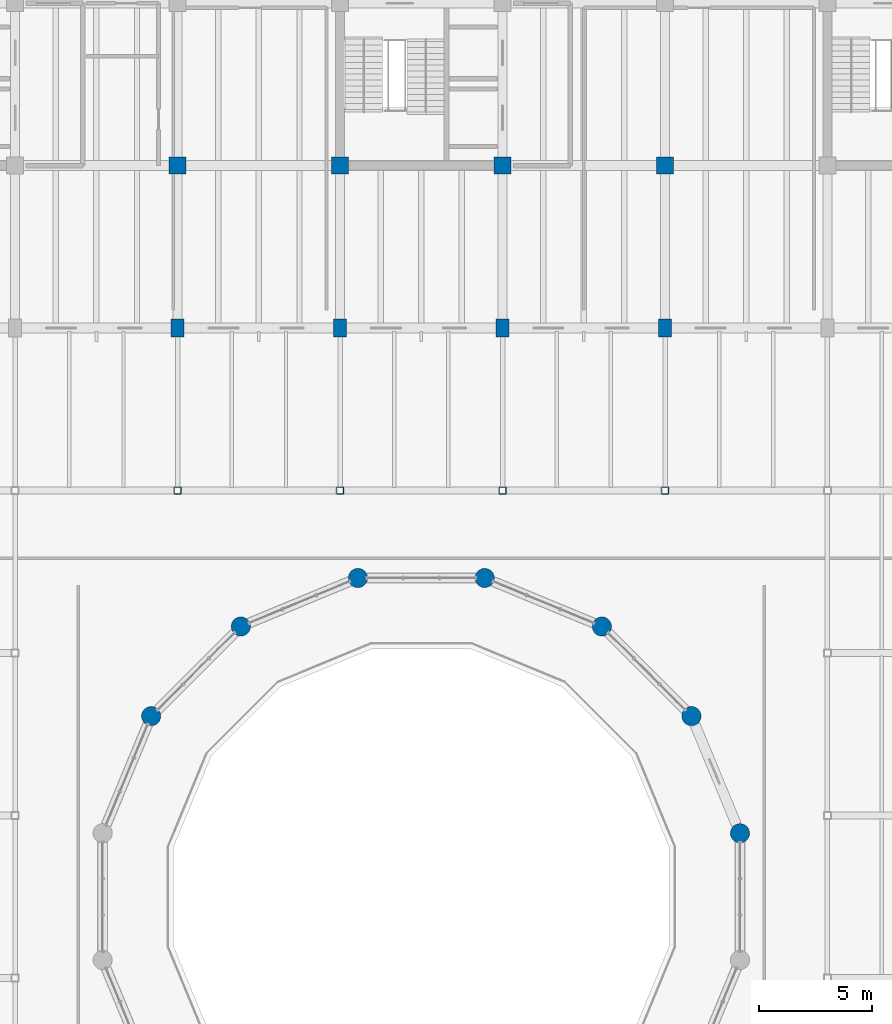
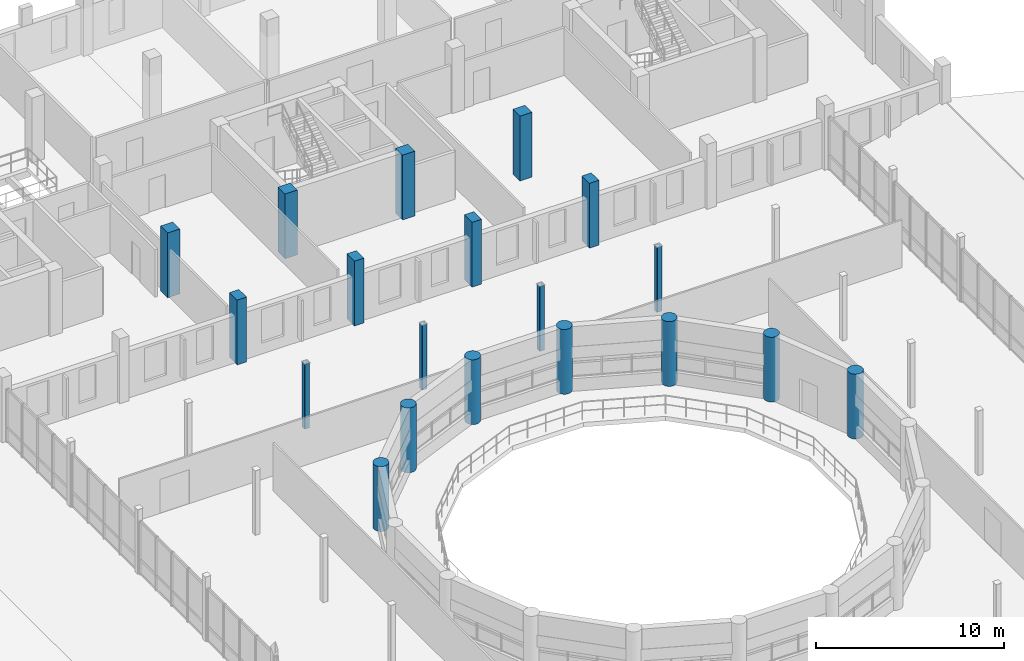
# One storey, part 8 of 63: 19 columns.
"""IFC4 building model written with IfcOpenShell, lengths in metres."""

from ifc_helpers import new_model, si_unit, direction, frame, origin, origin_2d, place, context, subcontext, project, spatial, rectangle, hollow_rectangle, circle, extrude, material, material_profile, profile_set, type_object, element, save


model = new_model("IFC4")

# Units and contexts
model_context = context("Model", 3, precision=1e-05, world=origin(), true_north=direction((0.0, 1.0)))
body_context = subcontext(model_context, "Body", "Model", "MODEL_VIEW")
ifc_project = project(units=[si_unit("LENGTHUNIT", "METRE"), si_unit("AREAUNIT", "SQUARE_METRE"), si_unit("VOLUMEUNIT", "CUBIC_METRE"), si_unit("PLANEANGLEUNIT", "RADIAN"), si_unit("MASSUNIT", "GRAM", prefix="KILO")], contexts=[model_context])

# Site, building, storey
site_placement = place(None, origin())
site = spatial("IfcSite", under=ifc_project, at=site_placement, CompositionType="ELEMENT")
building_placement = place(site_placement, origin())
building = spatial("IfcBuilding", under=site, at=building_placement, Name="Qiaolan Assembly House", CompositionType="ELEMENT")
storey_placement = place(building_placement, frame((0.0, 0.0, 14.39990234375)))
storey = spatial("IfcBuildingStorey", under=building, at=storey_placement, Name="L03", CompositionType="ELEMENT", Elevation=14.39990234375)

# Columns
ifc_material_1 = material(Name="Concrete C45/55", Category="concrete")
ifc_material_profile_1 = material_profile(ifc_material_1, circle(Radius=0.425048828125, at=origin_2d()), Name="CIRC D850")
ifc_profile_set_1 = profile_set([ifc_material_profile_1], Name="Concrete C45/55")
column_type_1 = type_object("IfcColumnType", Name="COL-DRUM-D850", PredefinedType="COLUMN", material=ifc_profile_set_1)
for number, where, z_axis, x_axis, name in (
    (1, (82.523193359375, 64.00927734375, 0.0), (0.0, 0.0, 1.0), (1.0, 0.0, 0.0), "DC-02 chamber drum pier 1 L03"),
    (2, (80.373046875, 69.2001953125, 0.0), (0.0, 0.0, 1.0), (1.0, 0.0, 0.0), "DC-02 chamber drum pier 2 L03"),
    (3, (76.400146484375, 73.173095703125, 0.0), (0.0, 0.0, 1.0), (1.0, 0.0, 0.0), "DC-02 chamber drum pier 3 L03"),
    (4, (71.209228515625, 75.3232421875, 0.0), (0.0, 0.0, 1.0), (1.0, 0.0, 0.0), "DC-02 chamber drum pier 4 L03"),
    (5, (65.5908203125, 75.3232421875, 0.0), (0.0, 0.0, 1.0), (1.0, 0.0, 0.0), "DC-02 chamber drum pier 5 L03"),
    (6, (60.39990234375, 73.173095703125, 0.0), (0.0, 0.0, 1.0), (1.0, 0.0, 0.0), "DC-02 chamber drum pier 6 L03"),
    (7, (56.4267578125, 69.2001953125, 0.0), (0.0, 0.0, 1.0), (1.0, 0.0, 0.0), "DC-02 chamber drum pier 7 L03"),
):
    element("IfcColumn", number, at=place(storey_placement, frame(where, z_axis=z_axis, x_axis=x_axis)), inside=storey, type_object=column_type_1, Name=name, PredefinedType="COLUMN", context=body_context, shape_type="SweptSolid", body=[
        extrude(circle(Radius=0.425048828125, at=origin_2d()), origin(), (0.0, 0.0, 1.0), 4.2001953125),
    ])
ifc_material_profile_2 = material_profile(ifc_material_1, rectangle(XDim=0.75, YDim=0.75, at=origin_2d()), Name="RC 750x750")
ifc_profile_set_2 = profile_set([ifc_material_profile_2], Name="Concrete C45/55")
column_type_2 = type_object("IfcColumnType", Name="COL-RC-750", PredefinedType="COLUMN", material=ifc_profile_set_2)
for number, where, z_axis, x_axis, name in (
    (8, (57.60009765625, 93.60009765625, 0.0), (0.0, 0.0, 1.0), (1.0, 0.0, 0.0), "RC-06 column NW L03"),
    (9, (64.800048828125, 93.60009765625, 0.0), (0.0, 0.0, 1.0), (1.0, 0.0, 0.0), "RC-06 column NW L03"),
    (10, (72.0, 93.60009765625, 0.0), (0.0, 0.0, 1.0), (1.0, 0.0, 0.0), "RC-06 column NW L03"),
    (11, (79.199951171875, 93.60009765625, 0.0), (0.0, 0.0, 1.0), (1.0, 0.0, 0.0), "RC-06 column NW L03"),
):
    element("IfcColumn", number, at=place(storey_placement, frame(where, z_axis=z_axis, x_axis=x_axis)), inside=storey, type_object=column_type_2, Name=name, PredefinedType="COLUMN", context=body_context, shape_type="SweptSolid", body=[
        extrude(rectangle(XDim=0.75, YDim=0.75, at=origin_2d()), origin(), (0.0, 0.0, 1.0), 4.2001953125),
    ])
ifc_material_profile_3 = material_profile(ifc_material_1, rectangle(XDim=0.580078125, YDim=0.81005859375, at=origin_2d()), Name="RC 810x580")
ifc_profile_set_3 = profile_set([ifc_material_profile_3], Name="Concrete C45/55")
column_type_3 = type_object("IfcColumnType", Name="COL-RC-810x580", PredefinedType="COLUMN", material=ifc_profile_set_3)
for number, where, z_axis, x_axis, name in (
    (12, (57.60009765625, 86.39990234375, 0.0), (0.0, 0.0, 1.0), (1.0, 0.0, 0.0), "RC-18 column NW L03"),
    (13, (64.800048828125, 86.39990234375, 0.0), (0.0, 0.0, 1.0), (1.0, 0.0, 0.0), "RC-18 column NW L03"),
    (14, (72.0, 86.39990234375, 0.0), (0.0, 0.0, 1.0), (1.0, 0.0, 0.0), "RC-18 column NW L03"),
    (15, (79.199951171875, 86.39990234375, 0.0), (0.0, 0.0, 1.0), (1.0, 0.0, 0.0), "RC-18 column NW L03"),
):
    element("IfcColumn", number, at=place(storey_placement, frame(where, z_axis=z_axis, x_axis=x_axis)), inside=storey, type_object=column_type_3, Name=name, PredefinedType="COLUMN", context=body_context, shape_type="SweptSolid", body=[
        extrude(rectangle(XDim=0.580078125, YDim=0.81005859375, at=origin_2d()), origin(), (0.0, 0.0, 1.0), 4.2001953125),
    ])
ifc_material_2 = material(Name="Steel Q355B", Category="steel")
ifc_material_profile_4 = material_profile(ifc_material_2, hollow_rectangle(XDim=0.31005859375, YDim=0.31005859375, WallThickness=0.011962890625, InnerFilletRadius=0.011962890625, OuterFilletRadius=0.02392578125, at=origin_2d()), Name="SHS 310x310x12")
ifc_profile_set_4 = profile_set([ifc_material_profile_4], Name="Steel Q355B")
column_type_4 = type_object("IfcColumnType", Name="COL-STL-SHS310", PredefinedType="COLUMN", material=ifc_profile_set_4)
for number, where, z_axis, x_axis, name in (
    (16, (57.60009765625, 79.199951171875, 0.0), (0.0, 0.0, 1.0), (1.0, 0.0, 0.0), "SC-10 L03 hall concourse column"),
    (17, (64.800048828125, 79.199951171875, 0.0), (0.0, 0.0, 1.0), (1.0, 0.0, 0.0), "SC-10 L03 hall concourse column"),
    (18, (72.0, 79.199951171875, 0.0), (0.0, 0.0, 1.0), (1.0, 0.0, 0.0), "SC-10 L03 hall concourse column"),
    (19, (79.199951171875, 79.199951171875, 0.0), (0.0, 0.0, 1.0), (1.0, 0.0, 0.0), "SC-10 L03 hall concourse column"),
):
    element("IfcColumn", number, at=place(storey_placement, frame(where, z_axis=z_axis, x_axis=x_axis)), inside=storey, type_object=column_type_4, Name=name, PredefinedType="COLUMN", context=body_context, shape_type="SweptSolid", body=[
        extrude(hollow_rectangle(XDim=0.31005859375, YDim=0.31005859375, WallThickness=0.011962890625, InnerFilletRadius=0.011962890625, OuterFilletRadius=0.02392578125, at=origin_2d()), origin(), (0.0, 0.0, 1.0), 4.2001953125),
    ])

save(model, "model.ifc")
